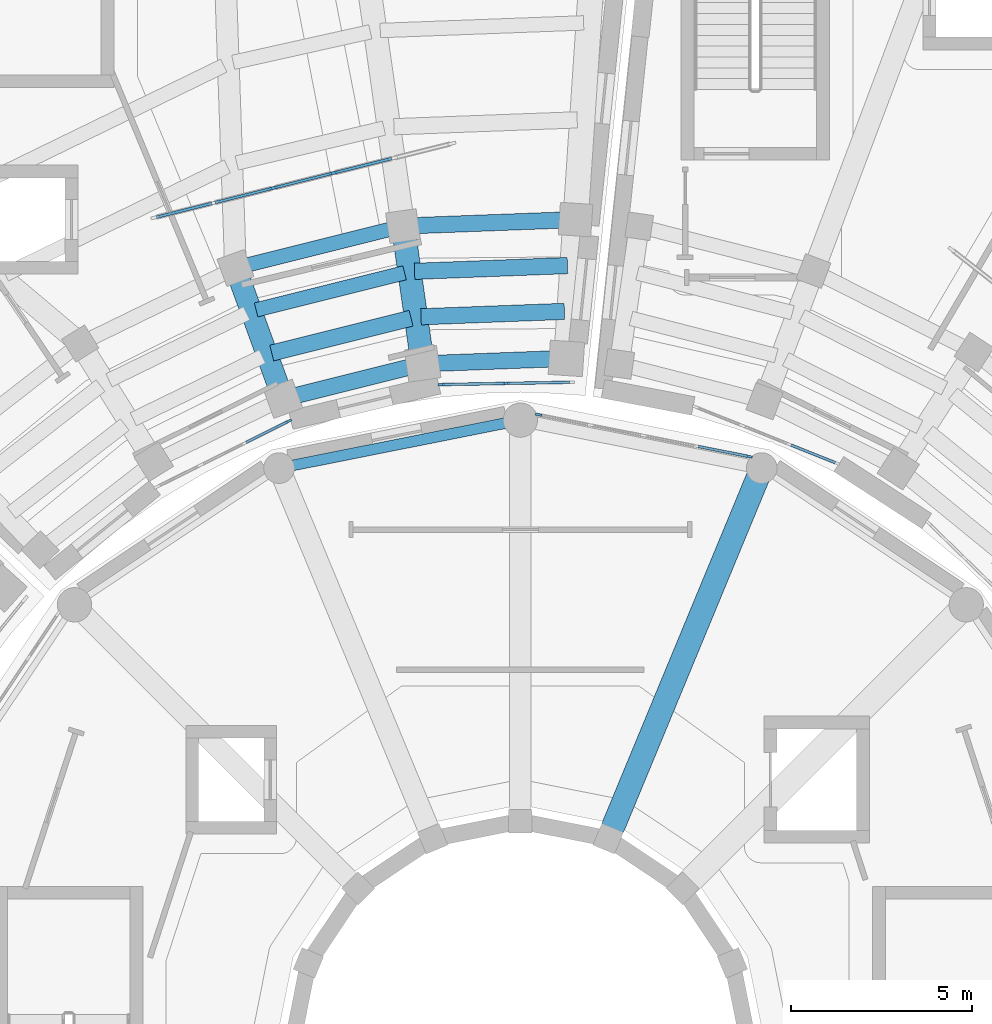
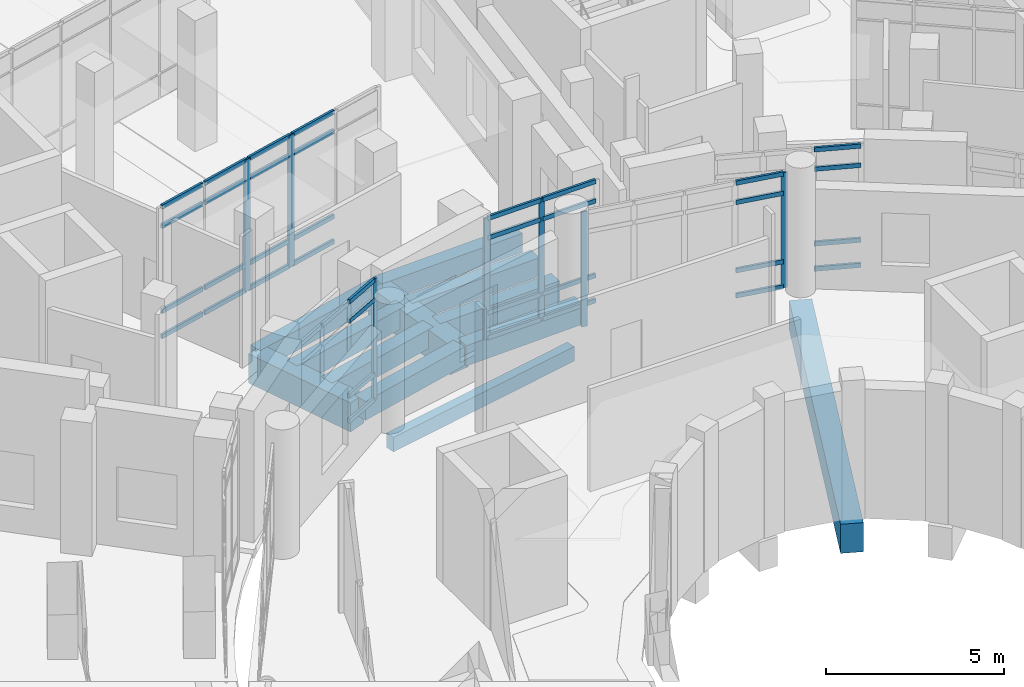
# One storey, part 20 of 75: 43 members, 12 beams, 5 elements without a shape of their own.
"""IFC4 building model written with IfcOpenShell, lengths in metres."""

from ifc_helpers import new_model, si_unit, direction, frame, origin, origin_2d, place, context, subcontext, project, spatial, rectangle, extrude, material, material_profile, profile_set, type_object, element, aggregate, save


model = new_model("IFC4")

# Units and contexts
model_context = context("Model", 3, precision=1e-05, world=origin(), true_north=direction((0.0, 1.0)))
body_context = subcontext(model_context, "Body", "Model", "MODEL_VIEW")
ifc_project = project(units=[si_unit("LENGTHUNIT", "METRE"), si_unit("AREAUNIT", "SQUARE_METRE"), si_unit("VOLUMEUNIT", "CUBIC_METRE"), si_unit("PLANEANGLEUNIT", "RADIAN"), si_unit("MASSUNIT", "GRAM", prefix="KILO")], contexts=[model_context])

# Site, building, storey
site_placement = place(None, origin())
site = spatial("IfcSite", under=ifc_project, at=site_placement, CompositionType="ELEMENT")
building_placement = place(site_placement, origin())
building = spatial("IfcBuilding", under=site, at=building_placement, Name="Soyqirgoq Riverine Aquarium", CompositionType="ELEMENT")
storey_placement = place(building_placement, frame((0.0, 0.0, 10.199951171875)))
storey = spatial("IfcBuildingStorey", under=building, at=storey_placement, Name="L03", CompositionType="ELEMENT", Elevation=10.199951171875)

# Beams
ifc_material_1 = material(Name="Concrete C40/50", Category="concrete")
ifc_material_profile_1 = material_profile(ifc_material_1, rectangle(XDim=0.39990234375, YDim=0.699951171875, at=origin_2d()), Name="RC 400x700")
ifc_profile_set_1 = profile_set([ifc_material_profile_1], Name="Concrete C40/50")
beam_type_1 = type_object("IfcBeamType", Name="Beam_RC_400x700", PredefinedType="BEAM", material=ifc_profile_set_1)
beam_1_placement = place(storey_placement, frame((52.79541015625, 78.5283203125, -0.64990234375), z_axis=(-0.970078041124, -0.242793315658, 0.0), x_axis=(0.242793315658, -0.970078041124, 0.0)))
element("IfcBeam", 1, at=beam_1_placement, inside=storey, type_object=beam_type_1, Name="V4 L03 Secondary Floor Joist 0633", PredefinedType="BEAM", context=body_context, shape_type="SweptSolid", body=[
    extrude(rectangle(XDim=0.39990234375, YDim=0.699951171875, at=origin_2d()), origin(), (0.0, 0.0, 1.0), 4.2353515625),
])
beam_2_placement = place(storey_placement, frame((52.70361328125, 79.807861328125, -0.64990234375), z_axis=(-0.970090297051, -0.242744341987, 0.0), x_axis=(0.242744341987, -0.970090297051, 0.0)))
element("IfcBeam", 2, at=beam_2_placement, inside=storey, type_object=beam_type_1, Name="V4 L03 Wedge Chord Beam 0639", PredefinedType="BEAM", context=body_context, shape_type="SweptSolid", body=[
    extrude(rectangle(XDim=0.39990234375, YDim=0.699951171875, at=origin_2d()), origin(), (0.0, 0.0, 1.0), 4.6787109375),
])
ifc_material_2 = material(Name="Concrete C40/50", Category="concrete")
ifc_material_profile_2 = material_profile(ifc_material_2, rectangle(XDim=0.449951171875, YDim=0.64990234375, at=origin_2d()), Name="RC 450x650")
ifc_profile_set_2 = profile_set([ifc_material_profile_2], Name="Concrete C40/50")
beam_type_2 = type_object("IfcBeamType", Name="Beam_RC_450x650", PredefinedType="BEAM", material=ifc_profile_set_2)
beam_3_placement = place(storey_placement, frame((53.24609375, 75.996337890625, -0.625), z_axis=(-0.970079552948, -0.242787275104, 0.0), x_axis=(0.242787275104, -0.970079552948, 0.0)))
element("IfcBeam", 3, at=beam_3_placement, inside=storey, type_object=beam_type_2, Name="V4 L03 Wedge Chord Beam 0627", PredefinedType="BEAM", context=body_context, shape_type="SweptSolid", body=[
    extrude(rectangle(XDim=0.449951171875, YDim=0.64990234375, at=origin_2d()), origin(), (0.0, 0.0, 1.0), 3.880615234375),
])
beam_4_placement = place(storey_placement, frame((57.303466796875, 78.726318359375, -0.625), z_axis=(-0.999295671654, -0.037525466212, 0.0), x_axis=(0.037525466212, -0.999295671654, 0.0)))
element("IfcBeam", 4, at=beam_4_placement, inside=storey, type_object=beam_type_2, Name="V4 L03 Secondary Floor Joist 0631", PredefinedType="BEAM", context=body_context, shape_type="SweptSolid", body=[
    extrude(rectangle(XDim=0.449951171875, YDim=0.64990234375, at=origin_2d()), origin(), (0.0, 0.0, 1.0), 4.2353515625),
])
beam_5_placement = place(storey_placement, frame((52.974365234375, 77.2705078125, -0.625), z_axis=(-0.970077382162, -0.24279594852, 0.0), x_axis=(0.24279594852, -0.970077382162, 0.0)))
element("IfcBeam", 5, at=beam_5_placement, inside=storey, type_object=beam_type_2, Name="V4 L03 Secondary Floor Joist 0632", PredefinedType="BEAM", context=body_context, shape_type="SweptSolid", body=[
    extrude(rectangle(XDim=0.449951171875, YDim=0.64990234375, at=origin_2d()), origin(), (0.0, 0.0, 1.0), 3.971923828125),
])
beam_6_placement = place(storey_placement, frame((57.4775390625, 79.997314453125, -0.625), z_axis=(-0.999297859951, -0.037467146916, 0.0), x_axis=(0.037467146916, -0.999297859951, 0.0)))
element("IfcBeam", 6, at=beam_6_placement, inside=storey, type_object=beam_type_2, Name="V4 L03 Wedge Chord Beam 0638", PredefinedType="BEAM", context=body_context, shape_type="SweptSolid", body=[
    extrude(rectangle(XDim=0.449951171875, YDim=0.64990234375, at=origin_2d()), origin(), (0.0, 0.0, 1.0), 4.678466796875),
])
ifc_material_3 = material(Name="Concrete C40/50", Category="concrete")
ifc_material_profile_3 = material_profile(ifc_material_3, rectangle(XDim=0.449951171875, YDim=0.699951171875, at=origin_2d()), Name="RC 450x700")
ifc_profile_set_3 = profile_set([ifc_material_profile_3], Name="Concrete C40/50")
beam_type_3 = type_object("IfcBeamType", Name="Beam_RC_450x700", PredefinedType="BEAM", material=ifc_profile_set_3)
beam_7_placement = place(storey_placement, frame((57.222412109375, 76.156005859375, -0.64990234375), z_axis=(-0.999296702447, -0.037498006337, 0.0), x_axis=(0.037498006337, -0.999296702447, 0.0)))
element("IfcBeam", 7, at=beam_7_placement, inside=storey, type_object=beam_type_3, Name="V4 L03 Wedge Chord Beam 0626", PredefinedType="BEAM", context=body_context, shape_type="SweptSolid", body=[
    extrude(rectangle(XDim=0.449951171875, YDim=0.699951171875, at=origin_2d()), origin(), (0.0, 0.0, 1.0), 3.88037109375),
])
beam_8_placement = place(storey_placement, frame((57.21923828125, 77.458740234375, -0.64990234375), z_axis=(-0.999296781045, -0.037495911696, 0.0), x_axis=(0.037495911696, -0.999296781045, 0.0)))
element("IfcBeam", 8, at=beam_8_placement, inside=storey, type_object=beam_type_3, Name="V4 L03 Secondary Floor Joist 0630", PredefinedType="BEAM", context=body_context, shape_type="SweptSolid", body=[
    extrude(rectangle(XDim=0.449951171875, YDim=0.699951171875, at=origin_2d()), origin(), (0.0, 0.0, 1.0), 3.9716796875),
])

# Curtain wall, members
ifc_material_4 = material(Name="Anodised aluminium thermally broken triple low-E glazing", Category="aluminium")
curtain_wall_type_1 = type_object("IfcCurtainWallType", Name="CW_DrumGallery_Unitised", PredefinedType="NOTDEFINED", material=ifc_material_4)
curtain_wall_1_placement = place(storey_placement, origin())
curtain_wall_1 = element("IfcCurtainWall", 9, at=curtain_wall_1_placement, inside=storey, type_object=curtain_wall_type_1, Name="V1 L03 Curtain Wall 014", PredefinedType="NOTDEFINED")
ifc_material_5 = material(Name="Anodised aluminium 6063-T6", Category="aluminium")
ifc_material_profile_4 = material_profile(ifc_material_5, rectangle(XDim=0.06494140625, YDim=0.179931640625, at=origin_2d()), Name="ALU-M 65x180")
ifc_profile_set_4 = profile_set([ifc_material_profile_4], Name="Anodised aluminium 6063-T6")
member_type_1 = type_object("IfcMemberType", Name="CWMullion_65x180", PredefinedType="MULLION", material=ifc_profile_set_4)
member_1_placement = place(storey_placement, frame((62.32958984375, 73.44091796875, 0.0), z_axis=(0.0, 0.0, 1.0), x_axis=(-0.195094927919, -0.980784364221, 0.0)))
member_1 = element("IfcMember", 10, at=member_1_placement, type_object=member_type_1, Name="CW-01 mullion 1", PredefinedType="MULLION", context=body_context, shape_type="SweptSolid", body=[
    extrude(rectangle(XDim=0.06494140625, YDim=0.179931640625, at=origin_2d()), origin(), (0.0, 0.0, 1.0), 3.949951171875),
])
member_2_placement = place(storey_placement, frame((56.5009765625, 74.600341796875, 0.0), z_axis=(0.0, 0.0, 1.0), x_axis=(-0.195094927919, -0.980784364221, 0.0)))
member_2 = element("IfcMember", 11, at=member_2_placement, type_object=member_type_1, Name="CW-01 mullion 5", PredefinedType="MULLION", context=body_context, shape_type="SweptSolid", body=[
    extrude(rectangle(XDim=0.06494140625, YDim=0.179931640625, at=origin_2d()), origin(), (0.0, 0.0, 1.0), 3.949951171875),
])

ifc_material_6 = material(Name="Anodised aluminium thermally broken double low-E glazing", Category="aluminium")
curtain_wall_type_2 = type_object("IfcCurtainWallType", Name="CW_Wedge_NorthBay", PredefinedType="NOTDEFINED", material=ifc_material_6)
curtain_wall_2_placement = place(storey_placement, origin())
curtain_wall_2 = element("IfcCurtainWall", 12, at=curtain_wall_2_placement, inside=storey, type_object=curtain_wall_type_2, Name="V4 L03 Curtain Wall 090", PredefinedType="NOTDEFINED")
member_3_placement = place(storey_placement, frame((55.609375, 75.465576171875, 0.0), z_axis=(0.0, 0.0, 1.0), x_axis=(0.018005266273, -0.999837892054, 0.0)))
member_3 = element("IfcMember", 13, at=member_3_placement, type_object=member_type_1, Name="CW-03 mullion 2", PredefinedType="MULLION", context=body_context, shape_type="SweptSolid", body=[
    extrude(rectangle(XDim=0.06494140625, YDim=0.179931640625, at=origin_2d()), origin(), (0.0, 0.0, 1.0), 4.170166015625),
])
member_4_placement = place(storey_placement, frame((53.809326171875, 75.43310546875, 0.0), z_axis=(0.0, 0.0, 1.0), x_axis=(0.018005266273, -0.999837892054, 0.0)))
member_4 = element("IfcMember", 14, at=member_4_placement, type_object=member_type_1, Name="CW-03 mullion 3", PredefinedType="MULLION", context=body_context, shape_type="SweptSolid", body=[
    extrude(rectangle(XDim=0.06494140625, YDim=0.179931640625, at=origin_2d()), origin(), (0.0, 0.0, 1.0), 4.170166015625),
])

# Curtain wall, member
curtain_wall_3_placement = place(storey_placement, origin())
curtain_wall_3 = element("IfcCurtainWall", 15, at=curtain_wall_3_placement, inside=storey, type_object=curtain_wall_type_2, Name="V4 L03 Curtain Wall 091", PredefinedType="NOTDEFINED")
member_5_placement = place(storey_placement, frame((49.583740234375, 74.41796875, 0.0), z_axis=(0.0, 0.0, 1.0), x_axis=(0.446194983142, -0.894935772567, 0.0)))
member_5 = element("IfcMember", 16, at=member_5_placement, type_object=member_type_1, Name="CW-03 mullion 1", PredefinedType="MULLION", context=body_context, shape_type="SweptSolid", body=[
    extrude(rectangle(XDim=0.06494140625, YDim=0.179931640625, at=origin_2d()), origin(), (0.0, 0.0, 1.0), 4.170166015625),
])

# Curtain wall, members
ifc_material_7 = material(Name="Cast polymethyl methacrylate PMMA Habitat Viewing Glazing", Category="glass")
curtain_wall_type_3 = type_object("IfcCurtainWallType", Name="CW_Interior_TankVitrine", PredefinedType="NOTDEFINED", material=ifc_material_7)
curtain_wall_4_placement = place(storey_placement, origin())
curtain_wall_4 = element("IfcCurtainWall", 17, at=curtain_wall_4_placement, inside=storey, type_object=curtain_wall_type_3, Name="V4 L03 Curtain Wall 155", PredefinedType="NOTDEFINED")
ifc_material_8 = material(Name="Anodised aluminium 6063-T6", Category="aluminium")
ifc_material_profile_5 = material_profile(ifc_material_8, rectangle(XDim=0.080078125, YDim=0.219970703125, at=origin_2d()), Name="ALU-M 80x220")
ifc_profile_set_5 = profile_set([ifc_material_profile_5], Name="Anodised aluminium 6063-T6")
member_type_2 = type_object("IfcMemberType", Name="CWMullion_80x220", PredefinedType="MULLION", material=ifc_profile_set_5)
member_6_placement = place(storey_placement, frame((50.825927734375, 81.286865234375, 0.0), z_axis=(0.0, 0.0, 1.0), x_axis=(0.241922023881, -0.970295694292, 0.0)))
member_6 = element("IfcMember", 18, at=member_6_placement, type_object=member_type_2, Name="CW-07 mullion 3", PredefinedType="MULLION", context=body_context, shape_type="SweptSolid", body=[
    extrude(rectangle(XDim=0.080078125, YDim=0.219970703125, at=origin_2d()), origin(), (0.0, 0.0, 1.0), 4.52001953125),
])
member_7_placement = place(storey_placement, frame((49.166259765625, 80.873046875, 0.0), z_axis=(0.0, 0.0, 1.0), x_axis=(0.241922023881, -0.970295694292, 0.0)))
member_7 = element("IfcMember", 19, at=member_7_placement, type_object=member_type_2, Name="CW-07 mullion 4", PredefinedType="MULLION", context=body_context, shape_type="SweptSolid", body=[
    extrude(rectangle(XDim=0.080078125, YDim=0.219970703125, at=origin_2d()), origin(), (0.0, 0.0, 1.0), 4.52001953125),
])

# Member
ifc_material_9 = material(Name="Anodised aluminium 6063-T6", Category="aluminium")
ifc_material_profile_6 = material_profile(ifc_material_9, rectangle(XDim=0.074951171875, YDim=0.14990234375, at=origin_2d()), Name="ALU-T 75x150")
ifc_profile_set_6 = profile_set([ifc_material_profile_6], Name="Anodised aluminium 6063-T6")
member_type_3 = type_object("IfcMemberType", Name="CWTransom_75x150", PredefinedType="USERDEFINED", material=ifc_profile_set_6)
member_8_placement = place(storey_placement, frame((62.2978515625, 73.447265625, 0.03759765625), z_axis=(-0.98080065826, 0.195012996379, 0.0), x_axis=(-0.195012996379, -0.98080065826, 0.0)))
member_8 = element("IfcMember", 20, at=member_8_placement, type_object=member_type_3, Name="CW-01 transom 1.1", ObjectType="TRANSOM", PredefinedType="USERDEFINED", context=body_context, shape_type="SweptSolid", body=[
    extrude(rectangle(XDim=0.074951171875, YDim=0.14990234375, at=origin_2d()), origin(), (0.0, 0.0, 1.0), 1.404541015625),
])

member_9_placement = place(storey_placement, frame((62.2978515625, 73.447265625, 0.900146484375), z_axis=(-0.98080065826, 0.195012996379, 0.0), x_axis=(-0.195012996379, -0.98080065826, 0.0)))
member_9 = element("IfcMember", 21, at=member_9_placement, type_object=member_type_3, Name="CW-01 transom 1.2", ObjectType="TRANSOM", PredefinedType="USERDEFINED", context=body_context, shape_type="SweptSolid", body=[
    extrude(rectangle(XDim=0.074951171875, YDim=0.14990234375, at=origin_2d()), origin(), (0.0, 0.0, 1.0), 1.404541015625),
])

member_10_placement = place(storey_placement, frame((62.2978515625, 73.447265625, 3.25), z_axis=(-0.98080065826, 0.195012996379, 0.0), x_axis=(-0.195012996379, -0.98080065826, 0.0)))
member_10 = element("IfcMember", 22, at=member_10_placement, type_object=member_type_3, Name="CW-01 transom 1.3", ObjectType="TRANSOM", PredefinedType="USERDEFINED", context=body_context, shape_type="SweptSolid", body=[
    extrude(rectangle(XDim=0.074951171875, YDim=0.14990234375, at=origin_2d()), origin(), (0.0, 0.0, 1.0), 1.404541015625),
])

member_11_placement = place(storey_placement, frame((62.2978515625, 73.447265625, 3.91259765625), z_axis=(-0.98080065826, 0.195012996379, 0.0), x_axis=(-0.195012996379, -0.98080065826, 0.0)))
member_11 = element("IfcMember", 23, at=member_11_placement, type_object=member_type_3, Name="CW-01 transom 1.4", ObjectType="TRANSOM", PredefinedType="USERDEFINED", context=body_context, shape_type="SweptSolid", body=[
    extrude(rectangle(XDim=0.074951171875, YDim=0.14990234375, at=origin_2d()), origin(), (0.0, 0.0, 1.0), 1.404541015625),
])

aggregate(curtain_wall_1, [member_1, member_2, member_8, member_9, member_10, member_11])

member_12_placement = place(storey_placement, frame((57.376708984375, 75.497314453125, 0.03759765625), z_axis=(-0.999837806342, -0.01801002522, 0.0), x_axis=(0.01801002522, -0.999837806342, 0.0)))
member_12 = element("IfcMember", 24, at=member_12_placement, type_object=member_type_3, Name="CW-03 transom 1.1", ObjectType="TRANSOM", PredefinedType="USERDEFINED", context=body_context, shape_type="SweptSolid", body=[
    extrude(rectangle(XDim=0.074951171875, YDim=0.14990234375, at=origin_2d()), origin(), (0.0, 0.0, 1.0), 1.735107421875),
])

member_13_placement = place(storey_placement, frame((57.376708984375, 75.497314453125, 0.900146484375), z_axis=(-0.999837806342, -0.01801002522, 0.0), x_axis=(0.01801002522, -0.999837806342, 0.0)))
member_13 = element("IfcMember", 25, at=member_13_placement, type_object=member_type_3, Name="CW-03 transom 1.2", ObjectType="TRANSOM", PredefinedType="USERDEFINED", context=body_context, shape_type="SweptSolid", body=[
    extrude(rectangle(XDim=0.074951171875, YDim=0.14990234375, at=origin_2d()), origin(), (0.0, 0.0, 1.0), 1.735107421875),
])

member_14_placement = place(storey_placement, frame((57.376708984375, 75.497314453125, 3.469970703125), z_axis=(-0.999837806342, -0.01801002522, 0.0), x_axis=(0.01801002522, -0.999837806342, 0.0)))
member_14 = element("IfcMember", 26, at=member_14_placement, type_object=member_type_3, Name="CW-03 transom 1.3", ObjectType="TRANSOM", PredefinedType="USERDEFINED", context=body_context, shape_type="SweptSolid", body=[
    extrude(rectangle(XDim=0.074951171875, YDim=0.14990234375, at=origin_2d()), origin(), (0.0, 0.0, 1.0), 1.735107421875),
])

member_15_placement = place(storey_placement, frame((57.376708984375, 75.497314453125, 4.132568359375), z_axis=(-0.999837806342, -0.01801002522, 0.0), x_axis=(0.01801002522, -0.999837806342, 0.0)))
member_15 = element("IfcMember", 27, at=member_15_placement, type_object=member_type_3, Name="CW-03 transom 1.4", ObjectType="TRANSOM", PredefinedType="USERDEFINED", context=body_context, shape_type="SweptSolid", body=[
    extrude(rectangle(XDim=0.074951171875, YDim=0.14990234375, at=origin_2d()), origin(), (0.0, 0.0, 1.0), 1.735107421875),
])

member_16_placement = place(storey_placement, frame((55.576904296875, 75.465087890625, 0.03759765625), z_axis=(-0.999837851971, -0.018007491917, 0.0), x_axis=(0.018007491917, -0.999837851971, 0.0)))
member_16 = element("IfcMember", 28, at=member_16_placement, type_object=member_type_3, Name="CW-03 transom 2.1", ObjectType="TRANSOM", PredefinedType="USERDEFINED", context=body_context, shape_type="SweptSolid", body=[
    extrude(rectangle(XDim=0.074951171875, YDim=0.14990234375, at=origin_2d()), origin(), (0.0, 0.0, 1.0), 1.7353515625),
])

member_17_placement = place(storey_placement, frame((55.576904296875, 75.465087890625, 0.900146484375), z_axis=(-0.999837851971, -0.018007491917, 0.0), x_axis=(0.018007491917, -0.999837851971, 0.0)))
member_17 = element("IfcMember", 29, at=member_17_placement, type_object=member_type_3, Name="CW-03 transom 2.2", ObjectType="TRANSOM", PredefinedType="USERDEFINED", context=body_context, shape_type="SweptSolid", body=[
    extrude(rectangle(XDim=0.074951171875, YDim=0.14990234375, at=origin_2d()), origin(), (0.0, 0.0, 1.0), 1.7353515625),
])

member_18_placement = place(storey_placement, frame((55.576904296875, 75.465087890625, 3.469970703125), z_axis=(-0.999837851971, -0.018007491917, 0.0), x_axis=(0.018007491917, -0.999837851971, 0.0)))
member_18 = element("IfcMember", 30, at=member_18_placement, type_object=member_type_3, Name="CW-03 transom 2.3", ObjectType="TRANSOM", PredefinedType="USERDEFINED", context=body_context, shape_type="SweptSolid", body=[
    extrude(rectangle(XDim=0.074951171875, YDim=0.14990234375, at=origin_2d()), origin(), (0.0, 0.0, 1.0), 1.7353515625),
])

member_19_placement = place(storey_placement, frame((55.576904296875, 75.465087890625, 4.132568359375), z_axis=(-0.999837851971, -0.018007491917, 0.0), x_axis=(0.018007491917, -0.999837851971, 0.0)))
member_19 = element("IfcMember", 31, at=member_19_placement, type_object=member_type_3, Name="CW-03 transom 2.4", ObjectType="TRANSOM", PredefinedType="USERDEFINED", context=body_context, shape_type="SweptSolid", body=[
    extrude(rectangle(XDim=0.074951171875, YDim=0.14990234375, at=origin_2d()), origin(), (0.0, 0.0, 1.0), 1.7353515625),
])

aggregate(curtain_wall_2, [member_3, member_4, member_12, member_13, member_14, member_15, member_16, member_17, member_18, member_19])

member_20_placement = place(storey_placement, frame((49.5546875, 74.403564453125, 0.03759765625), z_axis=(-0.894885440054, -0.446295921087, 0.0), x_axis=(0.446295921087, -0.894885440054, 0.0)))
member_20 = element("IfcMember", 32, at=member_20_placement, type_object=member_type_3, Name="CW-03 transom 1.1", ObjectType="TRANSOM", PredefinedType="USERDEFINED", context=body_context, shape_type="SweptSolid", body=[
    extrude(rectangle(XDim=0.074951171875, YDim=0.14990234375, at=origin_2d()), origin(), (0.0, 0.0, 1.0), 1.27734375),
])

member_21_placement = place(storey_placement, frame((49.5546875, 74.403564453125, 0.900146484375), z_axis=(-0.894885440054, -0.446295921087, 0.0), x_axis=(0.446295921087, -0.894885440054, 0.0)))
member_21 = element("IfcMember", 33, at=member_21_placement, type_object=member_type_3, Name="CW-03 transom 1.2", ObjectType="TRANSOM", PredefinedType="USERDEFINED", context=body_context, shape_type="SweptSolid", body=[
    extrude(rectangle(XDim=0.074951171875, YDim=0.14990234375, at=origin_2d()), origin(), (0.0, 0.0, 1.0), 1.27734375),
])

member_22_placement = place(storey_placement, frame((49.5546875, 74.403564453125, 3.469970703125), z_axis=(-0.894885440054, -0.446295921087, 0.0), x_axis=(0.446295921087, -0.894885440054, 0.0)))
member_22 = element("IfcMember", 34, at=member_22_placement, type_object=member_type_3, Name="CW-03 transom 1.3", ObjectType="TRANSOM", PredefinedType="USERDEFINED", context=body_context, shape_type="SweptSolid", body=[
    extrude(rectangle(XDim=0.074951171875, YDim=0.14990234375, at=origin_2d()), origin(), (0.0, 0.0, 1.0), 1.27734375),
])

member_23_placement = place(storey_placement, frame((49.5546875, 74.403564453125, 4.132568359375), z_axis=(-0.894885440054, -0.446295921087, 0.0), x_axis=(0.446295921087, -0.894885440054, 0.0)))
member_23 = element("IfcMember", 35, at=member_23_placement, type_object=member_type_3, Name="CW-03 transom 1.4", ObjectType="TRANSOM", PredefinedType="USERDEFINED", context=body_context, shape_type="SweptSolid", body=[
    extrude(rectangle(XDim=0.074951171875, YDim=0.14990234375, at=origin_2d()), origin(), (0.0, 0.0, 1.0), 1.27734375),
])

aggregate(curtain_wall_3, [member_5, member_20, member_21, member_22, member_23])

# Curtain wall, members
curtain_wall_5_placement = place(storey_placement, origin())
curtain_wall_5 = element("IfcCurtainWall", 36, at=curtain_wall_5_placement, inside=storey, type_object=curtain_wall_type_2, Name="V5 L03 Curtain Wall 097", PredefinedType="NOTDEFINED")
member_24_placement = place(storey_placement, frame((64.715576171875, 73.270751953125, 0.03759765625), z_axis=(-0.928807227855, 0.370563265157, 0.0), x_axis=(-0.370563265157, -0.928807227855, 0.0)))
member_24 = element("IfcMember", 37, at=member_24_placement, type_object=member_type_3, Name="CW-03 transom 1.1", ObjectType="TRANSOM", PredefinedType="USERDEFINED", context=body_context, shape_type="SweptSolid", body=[
    extrude(rectangle(XDim=0.074951171875, YDim=0.14990234375, at=origin_2d()), origin(), (0.0, 0.0, 1.0), 1.322998046875),
])
member_25_placement = place(storey_placement, frame((64.715576171875, 73.270751953125, 0.900146484375), z_axis=(-0.928807227855, 0.370563265157, 0.0), x_axis=(-0.370563265157, -0.928807227855, 0.0)))
member_25 = element("IfcMember", 38, at=member_25_placement, type_object=member_type_3, Name="CW-03 transom 1.2", ObjectType="TRANSOM", PredefinedType="USERDEFINED", context=body_context, shape_type="SweptSolid", body=[
    extrude(rectangle(XDim=0.074951171875, YDim=0.14990234375, at=origin_2d()), origin(), (0.0, 0.0, 1.0), 1.322998046875),
])
member_26_placement = place(storey_placement, frame((64.715576171875, 73.270751953125, 3.469970703125), z_axis=(-0.928807227855, 0.370563265157, 0.0), x_axis=(-0.370563265157, -0.928807227855, 0.0)))
member_26 = element("IfcMember", 39, at=member_26_placement, type_object=member_type_3, Name="CW-03 transom 1.3", ObjectType="TRANSOM", PredefinedType="USERDEFINED", context=body_context, shape_type="SweptSolid", body=[
    extrude(rectangle(XDim=0.074951171875, YDim=0.14990234375, at=origin_2d()), origin(), (0.0, 0.0, 1.0), 1.322998046875),
])
member_27_placement = place(storey_placement, frame((64.715576171875, 73.270751953125, 4.132568359375), z_axis=(-0.928807227855, 0.370563265157, 0.0), x_axis=(-0.370563265157, -0.928807227855, 0.0)))
member_27 = element("IfcMember", 40, at=member_27_placement, type_object=member_type_3, Name="CW-03 transom 1.4", ObjectType="TRANSOM", PredefinedType="USERDEFINED", context=body_context, shape_type="SweptSolid", body=[
    extrude(rectangle(XDim=0.074951171875, YDim=0.14990234375, at=origin_2d()), origin(), (0.0, 0.0, 1.0), 1.322998046875),
])
aggregate(curtain_wall_5, [member_24, member_25, member_26, member_27])

# Member
member_28_placement = place(storey_placement, frame((52.44677734375, 81.69091796875, 0.03759765625), z_axis=(-0.970318409519, -0.241830899903, 0.0), x_axis=(0.241830899903, -0.970318409519, 0.0)))
member_28 = element("IfcMember", 41, at=member_28_placement, type_object=member_type_3, Name="CW-07 transom 2.1", ObjectType="TRANSOM", PredefinedType="USERDEFINED", context=body_context, shape_type="SweptSolid", body=[
    extrude(rectangle(XDim=0.074951171875, YDim=0.14990234375, at=origin_2d()), origin(), (0.0, 0.0, 1.0), 1.63037109375),
])

member_29_placement = place(storey_placement, frame((52.44677734375, 81.69091796875, 0.900146484375), z_axis=(-0.970318409519, -0.241830899903, 0.0), x_axis=(0.241830899903, -0.970318409519, 0.0)))
member_29 = element("IfcMember", 42, at=member_29_placement, type_object=member_type_3, Name="CW-07 transom 2.2", ObjectType="TRANSOM", PredefinedType="USERDEFINED", context=body_context, shape_type="SweptSolid", body=[
    extrude(rectangle(XDim=0.074951171875, YDim=0.14990234375, at=origin_2d()), origin(), (0.0, 0.0, 1.0), 1.63037109375),
])

member_30_placement = place(storey_placement, frame((52.44677734375, 81.69091796875, 3.820068359375), z_axis=(-0.970318409519, -0.241830899903, 0.0), x_axis=(0.241830899903, -0.970318409519, 0.0)))
member_30 = element("IfcMember", 43, at=member_30_placement, type_object=member_type_3, Name="CW-07 transom 2.3", ObjectType="TRANSOM", PredefinedType="USERDEFINED", context=body_context, shape_type="SweptSolid", body=[
    extrude(rectangle(XDim=0.074951171875, YDim=0.14990234375, at=origin_2d()), origin(), (0.0, 0.0, 1.0), 1.63037109375),
])

member_31_placement = place(storey_placement, frame((52.44677734375, 81.69091796875, 4.482666015625), z_axis=(-0.970318409519, -0.241830899903, 0.0), x_axis=(0.241830899903, -0.970318409519, 0.0)))
member_31 = element("IfcMember", 44, at=member_31_placement, type_object=member_type_3, Name="CW-07 transom 2.4", ObjectType="TRANSOM", PredefinedType="USERDEFINED", context=body_context, shape_type="SweptSolid", body=[
    extrude(rectangle(XDim=0.074951171875, YDim=0.14990234375, at=origin_2d()), origin(), (0.0, 0.0, 1.0), 1.63037109375),
])

member_32_placement = place(storey_placement, frame((50.787109375, 81.277099609375, 0.03759765625), z_axis=(-0.970318409519, -0.241830899903, 0.0), x_axis=(0.241830899903, -0.970318409519, 0.0)))
member_32 = element("IfcMember", 45, at=member_32_placement, type_object=member_type_3, Name="CW-07 transom 3.1", ObjectType="TRANSOM", PredefinedType="USERDEFINED", context=body_context, shape_type="SweptSolid", body=[
    extrude(rectangle(XDim=0.074951171875, YDim=0.14990234375, at=origin_2d()), origin(), (0.0, 0.0, 1.0), 1.63037109375),
])

member_33_placement = place(storey_placement, frame((50.787109375, 81.277099609375, 0.900146484375), z_axis=(-0.970318409519, -0.241830899903, 0.0), x_axis=(0.241830899903, -0.970318409519, 0.0)))
member_33 = element("IfcMember", 46, at=member_33_placement, type_object=member_type_3, Name="CW-07 transom 3.2", ObjectType="TRANSOM", PredefinedType="USERDEFINED", context=body_context, shape_type="SweptSolid", body=[
    extrude(rectangle(XDim=0.074951171875, YDim=0.14990234375, at=origin_2d()), origin(), (0.0, 0.0, 1.0), 1.63037109375),
])

member_34_placement = place(storey_placement, frame((50.787109375, 81.277099609375, 3.820068359375), z_axis=(-0.970318409519, -0.241830899903, 0.0), x_axis=(0.241830899903, -0.970318409519, 0.0)))
member_34 = element("IfcMember", 47, at=member_34_placement, type_object=member_type_3, Name="CW-07 transom 3.3", ObjectType="TRANSOM", PredefinedType="USERDEFINED", context=body_context, shape_type="SweptSolid", body=[
    extrude(rectangle(XDim=0.074951171875, YDim=0.14990234375, at=origin_2d()), origin(), (0.0, 0.0, 1.0), 1.63037109375),
])

member_35_placement = place(storey_placement, frame((50.787109375, 81.277099609375, 4.482666015625), z_axis=(-0.970318409519, -0.241830899903, 0.0), x_axis=(0.241830899903, -0.970318409519, 0.0)))
member_35 = element("IfcMember", 48, at=member_35_placement, type_object=member_type_3, Name="CW-07 transom 3.4", ObjectType="TRANSOM", PredefinedType="USERDEFINED", context=body_context, shape_type="SweptSolid", body=[
    extrude(rectangle(XDim=0.074951171875, YDim=0.14990234375, at=origin_2d()), origin(), (0.0, 0.0, 1.0), 1.63037109375),
])

member_36_placement = place(storey_placement, frame((49.12744140625, 80.86328125, 0.03759765625), z_axis=(-0.970309650459, -0.241866041903, 0.0), x_axis=(0.241866041903, -0.970309650459, 0.0)))
member_36 = element("IfcMember", 49, at=member_36_placement, type_object=member_type_3, Name="CW-07 transom 4.1", ObjectType="TRANSOM", PredefinedType="USERDEFINED", context=body_context, shape_type="SweptSolid", body=[
    extrude(rectangle(XDim=0.074951171875, YDim=0.14990234375, at=origin_2d()), origin(), (0.0, 0.0, 1.0), 1.630126953125),
])

member_37_placement = place(storey_placement, frame((49.12744140625, 80.86328125, 0.900146484375), z_axis=(-0.970309650459, -0.241866041903, 0.0), x_axis=(0.241866041903, -0.970309650459, 0.0)))
member_37 = element("IfcMember", 50, at=member_37_placement, type_object=member_type_3, Name="CW-07 transom 4.2", ObjectType="TRANSOM", PredefinedType="USERDEFINED", context=body_context, shape_type="SweptSolid", body=[
    extrude(rectangle(XDim=0.074951171875, YDim=0.14990234375, at=origin_2d()), origin(), (0.0, 0.0, 1.0), 1.630126953125),
])

member_38_placement = place(storey_placement, frame((49.12744140625, 80.86328125, 3.820068359375), z_axis=(-0.970309650459, -0.241866041903, 0.0), x_axis=(0.241866041903, -0.970309650459, 0.0)))
member_38 = element("IfcMember", 51, at=member_38_placement, type_object=member_type_3, Name="CW-07 transom 4.3", ObjectType="TRANSOM", PredefinedType="USERDEFINED", context=body_context, shape_type="SweptSolid", body=[
    extrude(rectangle(XDim=0.074951171875, YDim=0.14990234375, at=origin_2d()), origin(), (0.0, 0.0, 1.0), 1.630126953125),
])

member_39_placement = place(storey_placement, frame((49.12744140625, 80.86328125, 4.482666015625), z_axis=(-0.970309650459, -0.241866041903, 0.0), x_axis=(0.241866041903, -0.970309650459, 0.0)))
member_39 = element("IfcMember", 52, at=member_39_placement, type_object=member_type_3, Name="CW-07 transom 4.4", ObjectType="TRANSOM", PredefinedType="USERDEFINED", context=body_context, shape_type="SweptSolid", body=[
    extrude(rectangle(XDim=0.074951171875, YDim=0.14990234375, at=origin_2d()), origin(), (0.0, 0.0, 1.0), 1.630126953125),
])

member_40_placement = place(storey_placement, frame((47.468017578125, 80.44970703125, 0.03759765625), z_axis=(-0.970295809366, -0.241921562342, 0.0), x_axis=(0.241921562342, -0.970295809366, 0.0)))
member_40 = element("IfcMember", 53, at=member_40_placement, type_object=member_type_3, Name="CW-07 transom 5.1", ObjectType="TRANSOM", PredefinedType="USERDEFINED", context=body_context, shape_type="SweptSolid", body=[
    extrude(rectangle(XDim=0.074951171875, YDim=0.14990234375, at=origin_2d()), origin(), (0.0, 0.0, 1.0), 1.590576171875),
])

member_41_placement = place(storey_placement, frame((47.468017578125, 80.44970703125, 0.900146484375), z_axis=(-0.970295809366, -0.241921562342, 0.0), x_axis=(0.241921562342, -0.970295809366, 0.0)))
member_41 = element("IfcMember", 54, at=member_41_placement, type_object=member_type_3, Name="CW-07 transom 5.2", ObjectType="TRANSOM", PredefinedType="USERDEFINED", context=body_context, shape_type="SweptSolid", body=[
    extrude(rectangle(XDim=0.074951171875, YDim=0.14990234375, at=origin_2d()), origin(), (0.0, 0.0, 1.0), 1.590576171875),
])

member_42_placement = place(storey_placement, frame((47.468017578125, 80.44970703125, 3.820068359375), z_axis=(-0.970295809366, -0.241921562342, 0.0), x_axis=(0.241921562342, -0.970295809366, 0.0)))
member_42 = element("IfcMember", 55, at=member_42_placement, type_object=member_type_3, Name="CW-07 transom 5.3", ObjectType="TRANSOM", PredefinedType="USERDEFINED", context=body_context, shape_type="SweptSolid", body=[
    extrude(rectangle(XDim=0.074951171875, YDim=0.14990234375, at=origin_2d()), origin(), (0.0, 0.0, 1.0), 1.590576171875),
])

member_43_placement = place(storey_placement, frame((47.468017578125, 80.44970703125, 4.482666015625), z_axis=(-0.970295809366, -0.241921562342, 0.0), x_axis=(0.241921562342, -0.970295809366, 0.0)))
member_43 = element("IfcMember", 56, at=member_43_placement, type_object=member_type_3, Name="CW-07 transom 5.4", ObjectType="TRANSOM", PredefinedType="USERDEFINED", context=body_context, shape_type="SweptSolid", body=[
    extrude(rectangle(XDim=0.074951171875, YDim=0.14990234375, at=origin_2d()), origin(), (0.0, 0.0, 1.0), 1.590576171875),
])

aggregate(curtain_wall_4, [member_6, member_7, member_28, member_29, member_30, member_31, member_32, member_33, member_34, member_35, member_36, member_37, member_38, member_39, member_40, member_41, member_42, member_43])

# Beams
ifc_material_10 = material(Name="Concrete C40/50", Category="concrete")
ifc_material_profile_7 = material_profile(ifc_material_10, rectangle(XDim=0.60009765625, YDim=1.0, at=origin_2d()), Name="RC 600x1000")
ifc_profile_set_7 = profile_set([ifc_material_profile_7], Name="Concrete C40/50")
beam_type_4 = type_object("IfcBeamType", Name="Girder_RC_600x1000", PredefinedType="BEAM", material=ifc_profile_set_7)
beam_9_placement = place(storey_placement, frame((49.416015625, 75.089111328125, -0.800048828125), z_axis=(-0.342009657388, 0.939696437289, 0.0), x_axis=(-0.939696437289, -0.342009657388, 0.0)))
element("IfcBeam", 57, at=beam_9_placement, inside=storey, type_object=beam_type_4, Name="V4 L03 Wedge Radial Girder 0614", PredefinedType="BEAM", context=body_context, shape_type="SweptSolid", body=[
    extrude(rectangle(XDim=0.60009765625, YDim=1.0, at=origin_2d()), origin(), (0.0, 0.0, 1.0), 3.749755859375),
])
ifc_material_11 = material(Name="Concrete C40/50", Category="concrete")
ifc_material_profile_8 = material_profile(ifc_material_11, rectangle(XDim=0.64990234375, YDim=1.0, at=origin_2d()), Name="RC 650x1000")
ifc_profile_set_8 = profile_set([ifc_material_profile_8], Name="Concrete C40/50")
beam_type_5 = type_object("IfcBeamType", Name="Girder_RC_650x1000", PredefinedType="BEAM", material=ifc_profile_set_8)
beam_10_placement = place(storey_placement, frame((58.433837890625, 62.875732421875, -0.849853515625), z_axis=(0.382683908742, 0.923879335189, 0.0), x_axis=(-0.923879335189, 0.382683908742, 0.0)))
element("IfcBeam", 58, at=beam_10_placement, inside=storey, type_object=beam_type_5, Name="V1 L03 Gallery Radial Beam 0066", PredefinedType="BEAM", context=body_context, shape_type="SweptSolid", body=[
    extrude(rectangle(XDim=0.64990234375, YDim=1.0, at=origin_2d()), origin(), (0.0, 0.0, 1.0), 11.080322265625),
])
beam_11_placement = place(storey_placement, frame((53.28759765625, 76.05810546875, -0.800048828125), z_axis=(-0.140892663047, 0.990024877212, 0.0), x_axis=(-0.990024877212, -0.140892663047, 0.0)))
element("IfcBeam", 59, at=beam_11_placement, inside=storey, type_object=beam_type_5, Name="V4 L03 Wedge Radial Girder 0610", PredefinedType="BEAM", context=body_context, shape_type="SweptSolid", body=[
    extrude(rectangle(XDim=0.64990234375, YDim=1.0, at=origin_2d()), origin(), (0.0, 0.0, 1.0), 3.749755859375),
])
ifc_material_12 = material(Name="Concrete C40/50", Category="concrete")
ifc_material_profile_9 = material_profile(ifc_material_12, rectangle(XDim=0.300048828125, YDim=0.5, at=origin_2d()), Name="RC 300x500")
ifc_profile_set_9 = profile_set([ifc_material_profile_9], Name="Concrete C40/50")
beam_type_6 = type_object("IfcBeamType", Name="Spandrel_RC_300x500", PredefinedType="SPANDREL", material=ifc_profile_set_9)
beam_12_placement = place(storey_placement, frame((55.98046875, 74.446044921875, -0.599853515625), z_axis=(-0.980784073274, -0.195096390568, 0.0), x_axis=(0.195096390568, -0.980784073274, 0.0)))
element("IfcBeam", 60, at=beam_12_placement, inside=storey, type_object=beam_type_6, Name="V1 L03 Drum Spandrel Beam 0067", PredefinedType="SPANDREL", context=body_context, shape_type="SweptSolid", body=[
    extrude(rectangle(XDim=0.300048828125, YDim=0.5, at=origin_2d()), origin(), (0.0, 0.0, 1.0), 6.768798828125),
])

save(model, "model.ifc")
